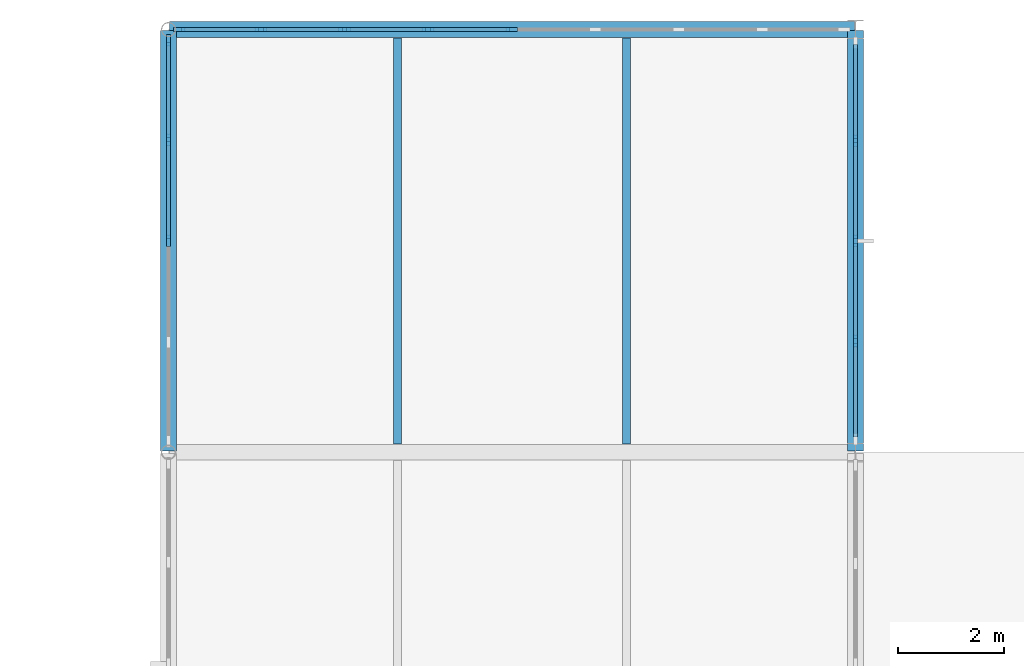
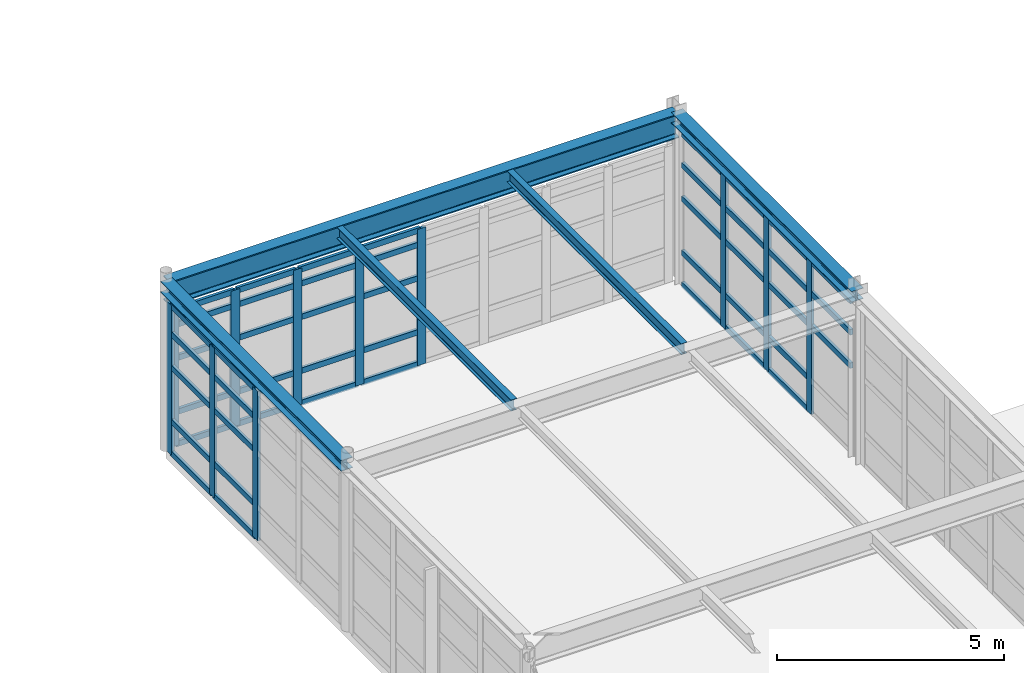
# One storey, part 52 of 139: 59 members, 5 beams, 3 elements without a shape of their own.
"""IFC4 building model written with IfcOpenShell, lengths in metres."""

from ifc_helpers import new_model, si_unit, direction, frame, origin, origin_2d, place, context, subcontext, project, spatial, rectangle, i_section, extrude, material, layer, layer_set, material_profile, profile_set, type_object, element, aggregate, save


model = new_model("IFC4")

# Units and contexts
model_context = context("Model", 3, precision=1e-05, world=origin(), true_north=direction((0.0, 1.0)))
body_context = subcontext(model_context, "Body", "Model", "MODEL_VIEW")
ifc_project = project(units=[si_unit("LENGTHUNIT", "METRE"), si_unit("AREAUNIT", "SQUARE_METRE"), si_unit("VOLUMEUNIT", "CUBIC_METRE"), si_unit("PLANEANGLEUNIT", "RADIAN"), si_unit("MASSUNIT", "GRAM", prefix="KILO"), si_unit("THERMODYNAMICTEMPERATUREUNIT", "KELVIN"), si_unit("POWERUNIT", "WATT")], contexts=[model_context])

# Site, building, storey
site_placement = place(None, origin())
site = spatial("IfcSite", under=ifc_project, at=site_placement, CompositionType="ELEMENT")
building_placement = place(site_placement, origin())
building = spatial("IfcBuilding", under=site, at=building_placement, Name="Korenveer Ferry Terminal", CompositionType="ELEMENT")
storey_placement = place(building_placement, frame((0.0, 0.0, 5.39990234375)))
storey = spatial("IfcBuildingStorey", under=building, at=storey_placement, Name="L01", CompositionType="ELEMENT", Elevation=5.39990234375)

# Curtain wall, members
ifc_material_1 = material(Name="Unitised bronze-and-glass curtain wall", Category="glass")
ifc_layer_1 = layer(ifc_material_1, 0.219970703125)
ifc_layer_set_1 = layer_set([ifc_layer_1], Name="Unitised bronze-and-glass curtain wall")
curtain_wall_type_1 = type_object("IfcCurtainWallType", Name="ENV-CW-56", PredefinedType="USERDEFINED", material=ifc_layer_set_1)
curtain_wall_1_placement = place(storey_placement, frame((40.16650390625, 116.0, 0.0)))
curtain_wall_1 = element("IfcCurtainWall", 1, at=curtain_wall_1_placement, inside=storey, type_object=curtain_wall_type_1, Name="Lancet curtain wall CWX-L01-X40-53-Y116-116", ObjectType="UNITISED CURTAIN WALL", PredefinedType="USERDEFINED")
ifc_material_2 = material(Name="Anodised bronze aluminium", Category="aluminium")
ifc_material_profile_1 = material_profile(ifc_material_2, rectangle(XDim=0.074951171875, YDim=0.219970703125, at=origin_2d()), Name="ALU 75x220")
ifc_profile_set_1 = profile_set([ifc_material_profile_1], Name="Anodised bronze aluminium")
member_type_1 = type_object("IfcMemberType", Name="ENV-CWM-75X220", PredefinedType="MULLION", material=ifc_profile_set_1)
member_1_placement = place(storey_placement, frame((40.2041015625, 116.0, 0.0), z_axis=(0.0, 0.0, 1.0), x_axis=(0.0, 1.0, 0.0)))
member_1 = element("IfcMember", 2, at=member_1_placement, type_object=member_type_1, Name="CW-56 mullion 1", PredefinedType="MULLION", context=body_context, shape_type="SweptSolid", body=[
    extrude(rectangle(XDim=0.074951171875, YDim=0.219970703125, at=origin_2d()), origin(), (0.0, 0.0, 1.0), 3.670166015625),
])
member_2_placement = place(storey_placement, frame((41.748291015625, 116.0, 0.0), z_axis=(0.0, 0.0, 1.0), x_axis=(0.0, 1.0, 0.0)))
member_2 = element("IfcMember", 3, at=member_2_placement, type_object=member_type_1, Name="CW-56 mullion 2", PredefinedType="MULLION", context=body_context, shape_type="SweptSolid", body=[
    extrude(rectangle(XDim=0.074951171875, YDim=0.219970703125, at=origin_2d()), origin(), (0.0, 0.0, 1.0), 3.670166015625),
])
member_3_placement = place(storey_placement, frame((43.329833984375, 116.0, 0.0), z_axis=(0.0, 0.0, 1.0), x_axis=(0.0, 1.0, 0.0)))
member_3 = element("IfcMember", 4, at=member_3_placement, type_object=member_type_1, Name="CW-56 mullion 3", PredefinedType="MULLION", context=body_context, shape_type="SweptSolid", body=[
    extrude(rectangle(XDim=0.074951171875, YDim=0.219970703125, at=origin_2d()), origin(), (0.0, 0.0, 1.0), 3.670166015625),
])
member_4_placement = place(storey_placement, frame((44.91162109375, 116.0, 0.0), z_axis=(0.0, 0.0, 1.0), x_axis=(0.0, 1.0, 0.0)))
member_4 = element("IfcMember", 5, at=member_4_placement, type_object=member_type_1, Name="CW-56 mullion 4", PredefinedType="MULLION", context=body_context, shape_type="SweptSolid", body=[
    extrude(rectangle(XDim=0.074951171875, YDim=0.219970703125, at=origin_2d()), origin(), (0.0, 0.0, 1.0), 3.670166015625),
])
member_5_placement = place(storey_placement, frame((46.4931640625, 116.0, 0.0), z_axis=(0.0, 0.0, 1.0), x_axis=(0.0, 1.0, 0.0)))
member_5 = element("IfcMember", 6, at=member_5_placement, type_object=member_type_1, Name="CW-56 mullion 5", PredefinedType="MULLION", context=body_context, shape_type="SweptSolid", body=[
    extrude(rectangle(XDim=0.074951171875, YDim=0.219970703125, at=origin_2d()), origin(), (0.0, 0.0, 1.0), 3.670166015625),
])

ifc_layer_2 = layer(ifc_material_1, 0.219970703125)
ifc_layer_set_2 = layer_set([ifc_layer_2], Name="Unitised bronze-and-glass curtain wall")
curtain_wall_type_2 = type_object("IfcCurtainWallType", Name="ENV-CW-67", PredefinedType="USERDEFINED", material=ifc_layer_set_2)
curtain_wall_2_placement = place(storey_placement, frame((40.0, 108.16650390625, 0.0)))
curtain_wall_2 = element("IfcCurtainWall", 7, at=curtain_wall_2_placement, inside=storey, type_object=curtain_wall_type_2, Name="Lancet curtain wall CWX-L01-X40-40-Y108-116", ObjectType="UNITISED CURTAIN WALL", PredefinedType="USERDEFINED")
member_6_placement = place(storey_placement, frame((40.0, 112.0, 0.0), z_axis=(0.0, 0.0, 1.0), x_axis=(-1.0, 0.0, 0.0)))
member_6 = element("IfcMember", 8, at=member_6_placement, type_object=member_type_1, Name="CW-67 mullion 3", PredefinedType="MULLION", context=body_context, shape_type="SweptSolid", body=[
    extrude(rectangle(XDim=0.074951171875, YDim=0.219970703125, at=origin_2d()), origin(), (0.0, 0.0, 1.0), 4.030029296875),
])
member_7_placement = place(storey_placement, frame((40.0, 113.916748046875, 0.0), z_axis=(0.0, 0.0, 1.0), x_axis=(-1.0, 0.0, 0.0)))
member_7 = element("IfcMember", 9, at=member_7_placement, type_object=member_type_1, Name="CW-67 mullion 4", PredefinedType="MULLION", context=body_context, shape_type="SweptSolid", body=[
    extrude(rectangle(XDim=0.074951171875, YDim=0.219970703125, at=origin_2d()), origin(), (0.0, 0.0, 1.0), 4.030029296875),
])
member_8_placement = place(storey_placement, frame((40.0, 115.7958984375, 0.0), z_axis=(0.0, 0.0, 1.0), x_axis=(-1.0, 0.0, 0.0)))
member_8 = element("IfcMember", 10, at=member_8_placement, type_object=member_type_1, Name="CW-67 mullion 5", PredefinedType="MULLION", context=body_context, shape_type="SweptSolid", body=[
    extrude(rectangle(XDim=0.074951171875, YDim=0.219970703125, at=origin_2d()), origin(), (0.0, 0.0, 1.0), 4.030029296875),
])

ifc_layer_3 = layer(ifc_material_1, 0.219970703125)
ifc_layer_set_3 = layer_set([ifc_layer_3], Name="Unitised bronze-and-glass curtain wall")
curtain_wall_type_3 = type_object("IfcCurtainWallType", Name="ENV-CW-72", PredefinedType="USERDEFINED", material=ifc_layer_set_3)
curtain_wall_3_placement = place(storey_placement, frame((53.0, 115.7900390625, 0.0)))
curtain_wall_3 = element("IfcCurtainWall", 11, at=curtain_wall_3_placement, inside=storey, type_object=curtain_wall_type_3, Name="Lancet curtain wall CWX-L01-X53-53-Y108-116", ObjectType="UNITISED CURTAIN WALL", PredefinedType="USERDEFINED")
member_9_placement = place(storey_placement, frame((53.0, 113.89501953125, 0.0), z_axis=(0.0, 0.0, 1.0), x_axis=(1.0, 0.0, 0.0)))
member_9 = element("IfcMember", 12, at=member_9_placement, type_object=member_type_1, Name="CW-72 mullion 2", PredefinedType="MULLION", context=body_context, shape_type="SweptSolid", body=[
    extrude(rectangle(XDim=0.074951171875, YDim=0.219970703125, at=origin_2d()), origin(), (0.0, 0.0, 1.0), 4.130126953125),
])
member_10_placement = place(storey_placement, frame((53.0, 112.0, 0.0), z_axis=(0.0, 0.0, 1.0), x_axis=(1.0, 0.0, 0.0)))
member_10 = element("IfcMember", 13, at=member_10_placement, type_object=member_type_1, Name="CW-72 mullion 3", PredefinedType="MULLION", context=body_context, shape_type="SweptSolid", body=[
    extrude(rectangle(XDim=0.074951171875, YDim=0.219970703125, at=origin_2d()), origin(), (0.0, 0.0, 1.0), 4.130126953125),
])
member_11_placement = place(storey_placement, frame((53.0, 110.10498046875, 0.0), z_axis=(0.0, 0.0, 1.0), x_axis=(1.0, 0.0, 0.0)))
member_11 = element("IfcMember", 14, at=member_11_placement, type_object=member_type_1, Name="CW-72 mullion 4", PredefinedType="MULLION", context=body_context, shape_type="SweptSolid", body=[
    extrude(rectangle(XDim=0.074951171875, YDim=0.219970703125, at=origin_2d()), origin(), (0.0, 0.0, 1.0), 4.130126953125),
])

# Member
ifc_material_profile_2 = material_profile(ifc_material_2, rectangle(XDim=0.074951171875, YDim=0.14990234375, at=origin_2d()), Name="ALU 75x150")
ifc_profile_set_2 = profile_set([ifc_material_profile_2], Name="Anodised bronze aluminium")
member_type_2 = type_object("IfcMemberType", Name="ENV-CWT-75X150", PredefinedType="USERDEFINED", material=ifc_profile_set_2)
member_12_placement = place(storey_placement, frame((40.241455078125, 116.0, 0.03759765625), z_axis=(1.0, 0.0, 0.0), x_axis=(0.0, 1.0, 0.0)))
member_12 = element("IfcMember", 15, at=member_12_placement, type_object=member_type_2, Name="CW-56 transom 1.1", ObjectType="TRANSOM", PredefinedType="USERDEFINED", context=body_context, shape_type="SweptSolid", body=[
    extrude(rectangle(XDim=0.074951171875, YDim=0.14990234375, at=origin_2d()), origin(), (0.0, 0.0, 1.0), 1.46923828125),
])

member_13_placement = place(storey_placement, frame((40.241455078125, 116.0, 0.900146484375), z_axis=(1.0, 0.0, 0.0), x_axis=(0.0, 1.0, 0.0)))
member_13 = element("IfcMember", 16, at=member_13_placement, type_object=member_type_2, Name="CW-56 transom 1.2", ObjectType="TRANSOM", PredefinedType="USERDEFINED", context=body_context, shape_type="SweptSolid", body=[
    extrude(rectangle(XDim=0.074951171875, YDim=0.14990234375, at=origin_2d()), origin(), (0.0, 0.0, 1.0), 1.46923828125),
])

member_14_placement = place(storey_placement, frame((40.241455078125, 116.0, 2.35009765625), z_axis=(1.0, 0.0, 0.0), x_axis=(0.0, 1.0, 0.0)))
member_14 = element("IfcMember", 17, at=member_14_placement, type_object=member_type_2, Name="CW-56 transom 1.3", ObjectType="TRANSOM", PredefinedType="USERDEFINED", context=body_context, shape_type="SweptSolid", body=[
    extrude(rectangle(XDim=0.074951171875, YDim=0.14990234375, at=origin_2d()), origin(), (0.0, 0.0, 1.0), 1.46923828125),
])

member_15_placement = place(storey_placement, frame((40.241455078125, 116.0, 3.25), z_axis=(1.0, 0.0, 0.0), x_axis=(0.0, 1.0, 0.0)))
member_15 = element("IfcMember", 18, at=member_15_placement, type_object=member_type_2, Name="CW-56 transom 1.4", ObjectType="TRANSOM", PredefinedType="USERDEFINED", context=body_context, shape_type="SweptSolid", body=[
    extrude(rectangle(XDim=0.074951171875, YDim=0.14990234375, at=origin_2d()), origin(), (0.0, 0.0, 1.0), 1.46923828125),
])

member_16_placement = place(storey_placement, frame((40.241455078125, 116.0, 3.632568359375), z_axis=(1.0, 0.0, 0.0), x_axis=(0.0, 1.0, 0.0)))
member_16 = element("IfcMember", 19, at=member_16_placement, type_object=member_type_2, Name="CW-56 transom 1.5", ObjectType="TRANSOM", PredefinedType="USERDEFINED", context=body_context, shape_type="SweptSolid", body=[
    extrude(rectangle(XDim=0.074951171875, YDim=0.14990234375, at=origin_2d()), origin(), (0.0, 0.0, 1.0), 1.46923828125),
])

member_17_placement = place(storey_placement, frame((41.78564453125, 116.0, 0.03759765625), z_axis=(1.0, 0.0, 0.0), x_axis=(0.0, 1.0, 0.0)))
member_17 = element("IfcMember", 20, at=member_17_placement, type_object=member_type_2, Name="CW-56 transom 2.1", ObjectType="TRANSOM", PredefinedType="USERDEFINED", context=body_context, shape_type="SweptSolid", body=[
    extrude(rectangle(XDim=0.074951171875, YDim=0.14990234375, at=origin_2d()), origin(), (0.0, 0.0, 1.0), 1.5068359375),
])

member_18_placement = place(storey_placement, frame((41.78564453125, 116.0, 0.900146484375), z_axis=(1.0, 0.0, 0.0), x_axis=(0.0, 1.0, 0.0)))
member_18 = element("IfcMember", 21, at=member_18_placement, type_object=member_type_2, Name="CW-56 transom 2.2", ObjectType="TRANSOM", PredefinedType="USERDEFINED", context=body_context, shape_type="SweptSolid", body=[
    extrude(rectangle(XDim=0.074951171875, YDim=0.14990234375, at=origin_2d()), origin(), (0.0, 0.0, 1.0), 1.5068359375),
])

member_19_placement = place(storey_placement, frame((41.78564453125, 116.0, 2.35009765625), z_axis=(1.0, 0.0, 0.0), x_axis=(0.0, 1.0, 0.0)))
member_19 = element("IfcMember", 22, at=member_19_placement, type_object=member_type_2, Name="CW-56 transom 2.3", ObjectType="TRANSOM", PredefinedType="USERDEFINED", context=body_context, shape_type="SweptSolid", body=[
    extrude(rectangle(XDim=0.074951171875, YDim=0.14990234375, at=origin_2d()), origin(), (0.0, 0.0, 1.0), 1.5068359375),
])

member_20_placement = place(storey_placement, frame((41.78564453125, 116.0, 3.25), z_axis=(1.0, 0.0, 0.0), x_axis=(0.0, 1.0, 0.0)))
member_20 = element("IfcMember", 23, at=member_20_placement, type_object=member_type_2, Name="CW-56 transom 2.4", ObjectType="TRANSOM", PredefinedType="USERDEFINED", context=body_context, shape_type="SweptSolid", body=[
    extrude(rectangle(XDim=0.074951171875, YDim=0.14990234375, at=origin_2d()), origin(), (0.0, 0.0, 1.0), 1.5068359375),
])

member_21_placement = place(storey_placement, frame((41.78564453125, 116.0, 3.632568359375), z_axis=(1.0, 0.0, 0.0), x_axis=(0.0, 1.0, 0.0)))
member_21 = element("IfcMember", 24, at=member_21_placement, type_object=member_type_2, Name="CW-56 transom 2.5", ObjectType="TRANSOM", PredefinedType="USERDEFINED", context=body_context, shape_type="SweptSolid", body=[
    extrude(rectangle(XDim=0.074951171875, YDim=0.14990234375, at=origin_2d()), origin(), (0.0, 0.0, 1.0), 1.5068359375),
])

member_22_placement = place(storey_placement, frame((43.367431640625, 116.0, 0.03759765625), z_axis=(1.0, 0.0, 0.0), x_axis=(0.0, 1.0, 0.0)))
member_22 = element("IfcMember", 25, at=member_22_placement, type_object=member_type_2, Name="CW-56 transom 3.1", ObjectType="TRANSOM", PredefinedType="USERDEFINED", context=body_context, shape_type="SweptSolid", body=[
    extrude(rectangle(XDim=0.074951171875, YDim=0.14990234375, at=origin_2d()), origin(), (0.0, 0.0, 1.0), 1.506591796875),
])

member_23_placement = place(storey_placement, frame((43.367431640625, 116.0, 0.900146484375), z_axis=(1.0, 0.0, 0.0), x_axis=(0.0, 1.0, 0.0)))
member_23 = element("IfcMember", 26, at=member_23_placement, type_object=member_type_2, Name="CW-56 transom 3.2", ObjectType="TRANSOM", PredefinedType="USERDEFINED", context=body_context, shape_type="SweptSolid", body=[
    extrude(rectangle(XDim=0.074951171875, YDim=0.14990234375, at=origin_2d()), origin(), (0.0, 0.0, 1.0), 1.506591796875),
])

member_24_placement = place(storey_placement, frame((43.367431640625, 116.0, 2.35009765625), z_axis=(1.0, 0.0, 0.0), x_axis=(0.0, 1.0, 0.0)))
member_24 = element("IfcMember", 27, at=member_24_placement, type_object=member_type_2, Name="CW-56 transom 3.3", ObjectType="TRANSOM", PredefinedType="USERDEFINED", context=body_context, shape_type="SweptSolid", body=[
    extrude(rectangle(XDim=0.074951171875, YDim=0.14990234375, at=origin_2d()), origin(), (0.0, 0.0, 1.0), 1.506591796875),
])

member_25_placement = place(storey_placement, frame((43.367431640625, 116.0, 3.25), z_axis=(1.0, 0.0, 0.0), x_axis=(0.0, 1.0, 0.0)))
member_25 = element("IfcMember", 28, at=member_25_placement, type_object=member_type_2, Name="CW-56 transom 3.4", ObjectType="TRANSOM", PredefinedType="USERDEFINED", context=body_context, shape_type="SweptSolid", body=[
    extrude(rectangle(XDim=0.074951171875, YDim=0.14990234375, at=origin_2d()), origin(), (0.0, 0.0, 1.0), 1.506591796875),
])

member_26_placement = place(storey_placement, frame((43.367431640625, 116.0, 3.632568359375), z_axis=(1.0, 0.0, 0.0), x_axis=(0.0, 1.0, 0.0)))
member_26 = element("IfcMember", 29, at=member_26_placement, type_object=member_type_2, Name="CW-56 transom 3.5", ObjectType="TRANSOM", PredefinedType="USERDEFINED", context=body_context, shape_type="SweptSolid", body=[
    extrude(rectangle(XDim=0.074951171875, YDim=0.14990234375, at=origin_2d()), origin(), (0.0, 0.0, 1.0), 1.506591796875),
])

member_27_placement = place(storey_placement, frame((44.948974609375, 116.0, 0.03759765625), z_axis=(1.0, 0.0, 0.0), x_axis=(0.0, 1.0, 0.0)))
member_27 = element("IfcMember", 30, at=member_27_placement, type_object=member_type_2, Name="CW-56 transom 4.1", ObjectType="TRANSOM", PredefinedType="USERDEFINED", context=body_context, shape_type="SweptSolid", body=[
    extrude(rectangle(XDim=0.074951171875, YDim=0.14990234375, at=origin_2d()), origin(), (0.0, 0.0, 1.0), 1.5068359375),
])

member_28_placement = place(storey_placement, frame((44.948974609375, 116.0, 0.900146484375), z_axis=(1.0, 0.0, 0.0), x_axis=(0.0, 1.0, 0.0)))
member_28 = element("IfcMember", 31, at=member_28_placement, type_object=member_type_2, Name="CW-56 transom 4.2", ObjectType="TRANSOM", PredefinedType="USERDEFINED", context=body_context, shape_type="SweptSolid", body=[
    extrude(rectangle(XDim=0.074951171875, YDim=0.14990234375, at=origin_2d()), origin(), (0.0, 0.0, 1.0), 1.5068359375),
])

member_29_placement = place(storey_placement, frame((44.948974609375, 116.0, 2.35009765625), z_axis=(1.0, 0.0, 0.0), x_axis=(0.0, 1.0, 0.0)))
member_29 = element("IfcMember", 32, at=member_29_placement, type_object=member_type_2, Name="CW-56 transom 4.3", ObjectType="TRANSOM", PredefinedType="USERDEFINED", context=body_context, shape_type="SweptSolid", body=[
    extrude(rectangle(XDim=0.074951171875, YDim=0.14990234375, at=origin_2d()), origin(), (0.0, 0.0, 1.0), 1.5068359375),
])

member_30_placement = place(storey_placement, frame((44.948974609375, 116.0, 3.25), z_axis=(1.0, 0.0, 0.0), x_axis=(0.0, 1.0, 0.0)))
member_30 = element("IfcMember", 33, at=member_30_placement, type_object=member_type_2, Name="CW-56 transom 4.4", ObjectType="TRANSOM", PredefinedType="USERDEFINED", context=body_context, shape_type="SweptSolid", body=[
    extrude(rectangle(XDim=0.074951171875, YDim=0.14990234375, at=origin_2d()), origin(), (0.0, 0.0, 1.0), 1.5068359375),
])

member_31_placement = place(storey_placement, frame((44.948974609375, 116.0, 3.632568359375), z_axis=(1.0, 0.0, 0.0), x_axis=(0.0, 1.0, 0.0)))
member_31 = element("IfcMember", 34, at=member_31_placement, type_object=member_type_2, Name="CW-56 transom 4.5", ObjectType="TRANSOM", PredefinedType="USERDEFINED", context=body_context, shape_type="SweptSolid", body=[
    extrude(rectangle(XDim=0.074951171875, YDim=0.14990234375, at=origin_2d()), origin(), (0.0, 0.0, 1.0), 1.5068359375),
])

aggregate(curtain_wall_1, [member_1, member_2, member_3, member_4, member_5, member_12, member_13, member_14, member_15, member_16, member_17, member_18, member_19, member_20, member_21, member_22, member_23, member_24, member_25, member_26, member_27, member_28, member_29, member_30, member_31])

member_32_placement = place(storey_placement, frame((40.0, 112.03759765625, 0.03759765625), z_axis=(0.0, 1.0, 0.0), x_axis=(-1.0, 0.0, 0.0)))
member_32 = element("IfcMember", 35, at=member_32_placement, type_object=member_type_2, Name="CW-67 transom 3.1", ObjectType="TRANSOM", PredefinedType="USERDEFINED", context=body_context, shape_type="SweptSolid", body=[
    extrude(rectangle(XDim=0.074951171875, YDim=0.14990234375, at=origin_2d()), origin(), (0.0, 0.0, 1.0), 1.841552734375),
])

member_33_placement = place(storey_placement, frame((40.0, 112.03759765625, 0.900146484375), z_axis=(0.0, 1.0, 0.0), x_axis=(-1.0, 0.0, 0.0)))
member_33 = element("IfcMember", 36, at=member_33_placement, type_object=member_type_2, Name="CW-67 transom 3.2", ObjectType="TRANSOM", PredefinedType="USERDEFINED", context=body_context, shape_type="SweptSolid", body=[
    extrude(rectangle(XDim=0.074951171875, YDim=0.14990234375, at=origin_2d()), origin(), (0.0, 0.0, 1.0), 1.841552734375),
])

member_34_placement = place(storey_placement, frame((40.0, 112.03759765625, 2.35009765625), z_axis=(0.0, 1.0, 0.0), x_axis=(-1.0, 0.0, 0.0)))
member_34 = element("IfcMember", 37, at=member_34_placement, type_object=member_type_2, Name="CW-67 transom 3.3", ObjectType="TRANSOM", PredefinedType="USERDEFINED", context=body_context, shape_type="SweptSolid", body=[
    extrude(rectangle(XDim=0.074951171875, YDim=0.14990234375, at=origin_2d()), origin(), (0.0, 0.0, 1.0), 1.841552734375),
])

member_35_placement = place(storey_placement, frame((40.0, 112.03759765625, 3.25), z_axis=(0.0, 1.0, 0.0), x_axis=(-1.0, 0.0, 0.0)))
member_35 = element("IfcMember", 38, at=member_35_placement, type_object=member_type_2, Name="CW-67 transom 3.4", ObjectType="TRANSOM", PredefinedType="USERDEFINED", context=body_context, shape_type="SweptSolid", body=[
    extrude(rectangle(XDim=0.074951171875, YDim=0.14990234375, at=origin_2d()), origin(), (0.0, 0.0, 1.0), 1.841552734375),
])

member_36_placement = place(storey_placement, frame((40.0, 112.03759765625, 3.99267578125), z_axis=(0.0, 1.0, 0.0), x_axis=(-1.0, 0.0, 0.0)))
member_36 = element("IfcMember", 39, at=member_36_placement, type_object=member_type_2, Name="CW-67 transom 3.5", ObjectType="TRANSOM", PredefinedType="USERDEFINED", context=body_context, shape_type="SweptSolid", body=[
    extrude(rectangle(XDim=0.074951171875, YDim=0.14990234375, at=origin_2d()), origin(), (0.0, 0.0, 1.0), 1.841552734375),
])

member_37_placement = place(storey_placement, frame((40.0, 113.954345703125, 0.03759765625), z_axis=(0.0, 1.0, 0.0), x_axis=(-1.0, 0.0, 0.0)))
member_37 = element("IfcMember", 40, at=member_37_placement, type_object=member_type_2, Name="CW-67 transom 4.1", ObjectType="TRANSOM", PredefinedType="USERDEFINED", context=body_context, shape_type="SweptSolid", body=[
    extrude(rectangle(XDim=0.074951171875, YDim=0.14990234375, at=origin_2d()), origin(), (0.0, 0.0, 1.0), 1.80419921875),
])

member_38_placement = place(storey_placement, frame((40.0, 113.954345703125, 0.900146484375), z_axis=(0.0, 1.0, 0.0), x_axis=(-1.0, 0.0, 0.0)))
member_38 = element("IfcMember", 41, at=member_38_placement, type_object=member_type_2, Name="CW-67 transom 4.2", ObjectType="TRANSOM", PredefinedType="USERDEFINED", context=body_context, shape_type="SweptSolid", body=[
    extrude(rectangle(XDim=0.074951171875, YDim=0.14990234375, at=origin_2d()), origin(), (0.0, 0.0, 1.0), 1.80419921875),
])

member_39_placement = place(storey_placement, frame((40.0, 113.954345703125, 2.35009765625), z_axis=(0.0, 1.0, 0.0), x_axis=(-1.0, 0.0, 0.0)))
member_39 = element("IfcMember", 42, at=member_39_placement, type_object=member_type_2, Name="CW-67 transom 4.3", ObjectType="TRANSOM", PredefinedType="USERDEFINED", context=body_context, shape_type="SweptSolid", body=[
    extrude(rectangle(XDim=0.074951171875, YDim=0.14990234375, at=origin_2d()), origin(), (0.0, 0.0, 1.0), 1.80419921875),
])

member_40_placement = place(storey_placement, frame((40.0, 113.954345703125, 3.25), z_axis=(0.0, 1.0, 0.0), x_axis=(-1.0, 0.0, 0.0)))
member_40 = element("IfcMember", 43, at=member_40_placement, type_object=member_type_2, Name="CW-67 transom 4.4", ObjectType="TRANSOM", PredefinedType="USERDEFINED", context=body_context, shape_type="SweptSolid", body=[
    extrude(rectangle(XDim=0.074951171875, YDim=0.14990234375, at=origin_2d()), origin(), (0.0, 0.0, 1.0), 1.80419921875),
])

member_41_placement = place(storey_placement, frame((40.0, 113.954345703125, 3.99267578125), z_axis=(0.0, 1.0, 0.0), x_axis=(-1.0, 0.0, 0.0)))
member_41 = element("IfcMember", 44, at=member_41_placement, type_object=member_type_2, Name="CW-67 transom 4.5", ObjectType="TRANSOM", PredefinedType="USERDEFINED", context=body_context, shape_type="SweptSolid", body=[
    extrude(rectangle(XDim=0.074951171875, YDim=0.14990234375, at=origin_2d()), origin(), (0.0, 0.0, 1.0), 1.80419921875),
])

aggregate(curtain_wall_2, [member_6, member_7, member_8, member_32, member_33, member_34, member_35, member_36, member_37, member_38, member_39, member_40, member_41])

member_42_placement = place(storey_placement, frame((53.0, 115.715087890625, 0.03759765625), z_axis=(0.0, -1.0, 0.0), x_axis=(1.0, 0.0, 0.0)))
member_42 = element("IfcMember", 45, at=member_42_placement, type_object=member_type_2, Name="CW-72 transom 1.1", ObjectType="TRANSOM", PredefinedType="USERDEFINED", context=body_context, shape_type="SweptSolid", body=[
    extrude(rectangle(XDim=0.074951171875, YDim=0.14990234375, at=origin_2d()), origin(), (0.0, 0.0, 1.0), 1.782470703125),
])

member_43_placement = place(storey_placement, frame((53.0, 115.715087890625, 0.900146484375), z_axis=(0.0, -1.0, 0.0), x_axis=(1.0, 0.0, 0.0)))
member_43 = element("IfcMember", 46, at=member_43_placement, type_object=member_type_2, Name="CW-72 transom 1.2", ObjectType="TRANSOM", PredefinedType="USERDEFINED", context=body_context, shape_type="SweptSolid", body=[
    extrude(rectangle(XDim=0.074951171875, YDim=0.14990234375, at=origin_2d()), origin(), (0.0, 0.0, 1.0), 1.782470703125),
])

member_44_placement = place(storey_placement, frame((53.0, 115.715087890625, 2.35009765625), z_axis=(0.0, -1.0, 0.0), x_axis=(1.0, 0.0, 0.0)))
member_44 = element("IfcMember", 47, at=member_44_placement, type_object=member_type_2, Name="CW-72 transom 1.3", ObjectType="TRANSOM", PredefinedType="USERDEFINED", context=body_context, shape_type="SweptSolid", body=[
    extrude(rectangle(XDim=0.074951171875, YDim=0.14990234375, at=origin_2d()), origin(), (0.0, 0.0, 1.0), 1.782470703125),
])

member_45_placement = place(storey_placement, frame((53.0, 115.715087890625, 3.25), z_axis=(0.0, -1.0, 0.0), x_axis=(1.0, 0.0, 0.0)))
member_45 = element("IfcMember", 48, at=member_45_placement, type_object=member_type_2, Name="CW-72 transom 1.4", ObjectType="TRANSOM", PredefinedType="USERDEFINED", context=body_context, shape_type="SweptSolid", body=[
    extrude(rectangle(XDim=0.074951171875, YDim=0.14990234375, at=origin_2d()), origin(), (0.0, 0.0, 1.0), 1.782470703125),
])

member_46_placement = place(storey_placement, frame((53.0, 115.715087890625, 4.092529296875), z_axis=(0.0, -1.0, 0.0), x_axis=(1.0, 0.0, 0.0)))
member_46 = element("IfcMember", 49, at=member_46_placement, type_object=member_type_2, Name="CW-72 transom 1.5", ObjectType="TRANSOM", PredefinedType="USERDEFINED", context=body_context, shape_type="SweptSolid", body=[
    extrude(rectangle(XDim=0.074951171875, YDim=0.14990234375, at=origin_2d()), origin(), (0.0, 0.0, 1.0), 1.782470703125),
])

member_47_placement = place(storey_placement, frame((53.0, 113.857421875, 0.03759765625), z_axis=(0.0, -1.0, 0.0), x_axis=(1.0, 0.0, 0.0)))
member_47 = element("IfcMember", 50, at=member_47_placement, type_object=member_type_2, Name="CW-72 transom 2.1", ObjectType="TRANSOM", PredefinedType="USERDEFINED", context=body_context, shape_type="SweptSolid", body=[
    extrude(rectangle(XDim=0.074951171875, YDim=0.14990234375, at=origin_2d()), origin(), (0.0, 0.0, 1.0), 1.81982421875),
])

member_48_placement = place(storey_placement, frame((53.0, 113.857421875, 0.900146484375), z_axis=(0.0, -1.0, 0.0), x_axis=(1.0, 0.0, 0.0)))
member_48 = element("IfcMember", 51, at=member_48_placement, type_object=member_type_2, Name="CW-72 transom 2.2", ObjectType="TRANSOM", PredefinedType="USERDEFINED", context=body_context, shape_type="SweptSolid", body=[
    extrude(rectangle(XDim=0.074951171875, YDim=0.14990234375, at=origin_2d()), origin(), (0.0, 0.0, 1.0), 1.81982421875),
])

member_49_placement = place(storey_placement, frame((53.0, 113.857421875, 2.35009765625), z_axis=(0.0, -1.0, 0.0), x_axis=(1.0, 0.0, 0.0)))
member_49 = element("IfcMember", 52, at=member_49_placement, type_object=member_type_2, Name="CW-72 transom 2.3", ObjectType="TRANSOM", PredefinedType="USERDEFINED", context=body_context, shape_type="SweptSolid", body=[
    extrude(rectangle(XDim=0.074951171875, YDim=0.14990234375, at=origin_2d()), origin(), (0.0, 0.0, 1.0), 1.81982421875),
])

member_50_placement = place(storey_placement, frame((53.0, 113.857421875, 3.25), z_axis=(0.0, -1.0, 0.0), x_axis=(1.0, 0.0, 0.0)))
member_50 = element("IfcMember", 53, at=member_50_placement, type_object=member_type_2, Name="CW-72 transom 2.4", ObjectType="TRANSOM", PredefinedType="USERDEFINED", context=body_context, shape_type="SweptSolid", body=[
    extrude(rectangle(XDim=0.074951171875, YDim=0.14990234375, at=origin_2d()), origin(), (0.0, 0.0, 1.0), 1.81982421875),
])

member_51_placement = place(storey_placement, frame((53.0, 113.857421875, 4.092529296875), z_axis=(0.0, -1.0, 0.0), x_axis=(1.0, 0.0, 0.0)))
member_51 = element("IfcMember", 54, at=member_51_placement, type_object=member_type_2, Name="CW-72 transom 2.5", ObjectType="TRANSOM", PredefinedType="USERDEFINED", context=body_context, shape_type="SweptSolid", body=[
    extrude(rectangle(XDim=0.074951171875, YDim=0.14990234375, at=origin_2d()), origin(), (0.0, 0.0, 1.0), 1.81982421875),
])

member_52_placement = place(storey_placement, frame((53.0, 111.96240234375, 0.03759765625), z_axis=(0.0, -1.0, 0.0), x_axis=(1.0, 0.0, 0.0)))
member_52 = element("IfcMember", 55, at=member_52_placement, type_object=member_type_2, Name="CW-72 transom 3.1", ObjectType="TRANSOM", PredefinedType="USERDEFINED", context=body_context, shape_type="SweptSolid", body=[
    extrude(rectangle(XDim=0.074951171875, YDim=0.14990234375, at=origin_2d()), origin(), (0.0, 0.0, 1.0), 1.81982421875),
])

member_53_placement = place(storey_placement, frame((53.0, 111.96240234375, 0.900146484375), z_axis=(0.0, -1.0, 0.0), x_axis=(1.0, 0.0, 0.0)))
member_53 = element("IfcMember", 56, at=member_53_placement, type_object=member_type_2, Name="CW-72 transom 3.2", ObjectType="TRANSOM", PredefinedType="USERDEFINED", context=body_context, shape_type="SweptSolid", body=[
    extrude(rectangle(XDim=0.074951171875, YDim=0.14990234375, at=origin_2d()), origin(), (0.0, 0.0, 1.0), 1.81982421875),
])

member_54_placement = place(storey_placement, frame((53.0, 111.96240234375, 2.35009765625), z_axis=(0.0, -1.0, 0.0), x_axis=(1.0, 0.0, 0.0)))
member_54 = element("IfcMember", 57, at=member_54_placement, type_object=member_type_2, Name="CW-72 transom 3.3", ObjectType="TRANSOM", PredefinedType="USERDEFINED", context=body_context, shape_type="SweptSolid", body=[
    extrude(rectangle(XDim=0.074951171875, YDim=0.14990234375, at=origin_2d()), origin(), (0.0, 0.0, 1.0), 1.81982421875),
])

member_55_placement = place(storey_placement, frame((53.0, 111.96240234375, 3.25), z_axis=(0.0, -1.0, 0.0), x_axis=(1.0, 0.0, 0.0)))
member_55 = element("IfcMember", 58, at=member_55_placement, type_object=member_type_2, Name="CW-72 transom 3.4", ObjectType="TRANSOM", PredefinedType="USERDEFINED", context=body_context, shape_type="SweptSolid", body=[
    extrude(rectangle(XDim=0.074951171875, YDim=0.14990234375, at=origin_2d()), origin(), (0.0, 0.0, 1.0), 1.81982421875),
])

member_56_placement = place(storey_placement, frame((53.0, 111.96240234375, 4.092529296875), z_axis=(0.0, -1.0, 0.0), x_axis=(1.0, 0.0, 0.0)))
member_56 = element("IfcMember", 59, at=member_56_placement, type_object=member_type_2, Name="CW-72 transom 3.5", ObjectType="TRANSOM", PredefinedType="USERDEFINED", context=body_context, shape_type="SweptSolid", body=[
    extrude(rectangle(XDim=0.074951171875, YDim=0.14990234375, at=origin_2d()), origin(), (0.0, 0.0, 1.0), 1.81982421875),
])

member_57_placement = place(storey_placement, frame((53.0, 110.0673828125, 2.35009765625), z_axis=(0.0, -1.0, 0.0), x_axis=(1.0, 0.0, 0.0)))
member_57 = element("IfcMember", 60, at=member_57_placement, type_object=member_type_2, Name="CW-72 transom 4.3", ObjectType="TRANSOM", PredefinedType="USERDEFINED", context=body_context, shape_type="SweptSolid", body=[
    extrude(rectangle(XDim=0.074951171875, YDim=0.14990234375, at=origin_2d()), origin(), (0.0, 0.0, 1.0), 1.782470703125),
])

member_58_placement = place(storey_placement, frame((53.0, 110.0673828125, 3.25), z_axis=(0.0, -1.0, 0.0), x_axis=(1.0, 0.0, 0.0)))
member_58 = element("IfcMember", 61, at=member_58_placement, type_object=member_type_2, Name="CW-72 transom 4.4", ObjectType="TRANSOM", PredefinedType="USERDEFINED", context=body_context, shape_type="SweptSolid", body=[
    extrude(rectangle(XDim=0.074951171875, YDim=0.14990234375, at=origin_2d()), origin(), (0.0, 0.0, 1.0), 1.782470703125),
])

member_59_placement = place(storey_placement, frame((53.0, 110.0673828125, 4.092529296875), z_axis=(0.0, -1.0, 0.0), x_axis=(1.0, 0.0, 0.0)))
member_59 = element("IfcMember", 62, at=member_59_placement, type_object=member_type_2, Name="CW-72 transom 4.5", ObjectType="TRANSOM", PredefinedType="USERDEFINED", context=body_context, shape_type="SweptSolid", body=[
    extrude(rectangle(XDim=0.074951171875, YDim=0.14990234375, at=origin_2d()), origin(), (0.0, 0.0, 1.0), 1.782470703125),
])

aggregate(curtain_wall_3, [member_9, member_10, member_11, member_42, member_43, member_44, member_45, member_46, member_47, member_48, member_49, member_50, member_51, member_52, member_53, member_54, member_55, member_56, member_57, member_58, member_59])

# Beams
ifc_material_3 = material(Name="Steel S355", Category="steel")
ifc_material_profile_3 = material_profile(ifc_material_3, i_section(OverallWidth=0.300048828125, OverallDepth=0.2900390625, WebThickness=0.008544921875, FlangeThickness=0.013916015625, FilletRadius=0.027099609375, at=origin_2d()), Name="HEA 300")
ifc_profile_set_3 = profile_set([ifc_material_profile_3], Name="Steel S355")
beam_type_1 = type_object("IfcBeamType", Name="STR-BM-HEA300", PredefinedType="BEAM", material=ifc_profile_set_3)
for number, where, z_axis, x_axis, name in (
    (63, (40.0, 108.02001953125, 4.405029296875), (0.0, 1.0, 0.0), (-1.0, 0.0, 0.0), "Primary Y girder BMY-L02-X40-Y108-116"),
    (64, (53.0, 108.02001953125, 4.405029296875), (0.0, 1.0, 0.0), (-1.0, 0.0, 0.0), "Primary Y girder BMY-L02-X53-Y108-116"),
):
    element("IfcBeam", number, at=place(storey_placement, frame(where, z_axis=z_axis, x_axis=x_axis)), inside=storey, type_object=beam_type_1, Name=name, PredefinedType="BEAM", context=body_context, shape_type="SweptSolid", body=[
        extrude(i_section(OverallWidth=0.300048828125, OverallDepth=0.2900390625, WebThickness=0.008544921875, FlangeThickness=0.013916015625, FilletRadius=0.027099609375, at=origin_2d()), origin(), (0.0, 0.0, 1.0), 7.9599609375),
    ])
ifc_material_profile_4 = material_profile(ifc_material_3, i_section(OverallWidth=0.300048828125, OverallDepth=0.64990234375, WebThickness=0.01611328125, FlangeThickness=0.031005859375, FilletRadius=0.027099609375, at=origin_2d()), Name="HEB 650")
ifc_profile_set_4 = profile_set([ifc_material_profile_4], Name="Steel S355")
beam_type_2 = type_object("IfcBeamType", Name="STR-BM-HEB650", PredefinedType="BEAM", material=ifc_profile_set_4)
beam_placement = place(storey_placement, frame((40.02001953125, 116.0, 4.22509765625), z_axis=(1.0, 0.0, 0.0), x_axis=(0.0, 1.0, 0.0)))
element("IfcBeam", 65, at=beam_placement, inside=storey, type_object=beam_type_2, Name="Primary X girder BMX-L02-X40-53-Y116", PredefinedType="BEAM", context=body_context, shape_type="SweptSolid", body=[
    extrude(i_section(OverallWidth=0.300048828125, OverallDepth=0.64990234375, WebThickness=0.01611328125, FlangeThickness=0.031005859375, FilletRadius=0.027099609375, at=origin_2d()), origin(), (0.0, 0.0, 1.0), 12.9599609375),
])
ifc_material_profile_5 = material_profile(ifc_material_3, i_section(OverallWidth=0.14990234375, OverallDepth=0.300048828125, WebThickness=0.007080078125, FlangeThickness=0.0107421875, FilletRadius=0.014892578125, at=origin_2d()), Name="IPE 300")
ifc_profile_set_5 = profile_set([ifc_material_profile_5], Name="Steel S355")
beam_type_3 = type_object("IfcBeamType", Name="STR-JST-IPE300", PredefinedType="JOIST", material=ifc_profile_set_5)
for number, where, z_axis, x_axis, name in (
    (66, (44.333251953125, 108.159912109375, 4.400146484375), (0.0, 1.0, 0.0), (-1.0, 0.0, 0.0), "Secondary composite joist JST-L02-X443-Y108-116"),
    (67, (48.666748046875, 108.159912109375, 4.400146484375), (0.0, 1.0, 0.0), (-1.0, 0.0, 0.0), "Secondary composite joist JST-L02-X487-Y108-116"),
):
    element("IfcBeam", number, at=place(storey_placement, frame(where, z_axis=z_axis, x_axis=x_axis)), inside=storey, type_object=beam_type_3, Name=name, PredefinedType="JOIST", context=body_context, shape_type="SweptSolid", body=[
        extrude(i_section(OverallWidth=0.14990234375, OverallDepth=0.300048828125, WebThickness=0.007080078125, FlangeThickness=0.0107421875, FilletRadius=0.014892578125, at=origin_2d()), origin(), (0.0, 0.0, 1.0), 7.68017578125),
    ])

save(model, "model.ifc")
